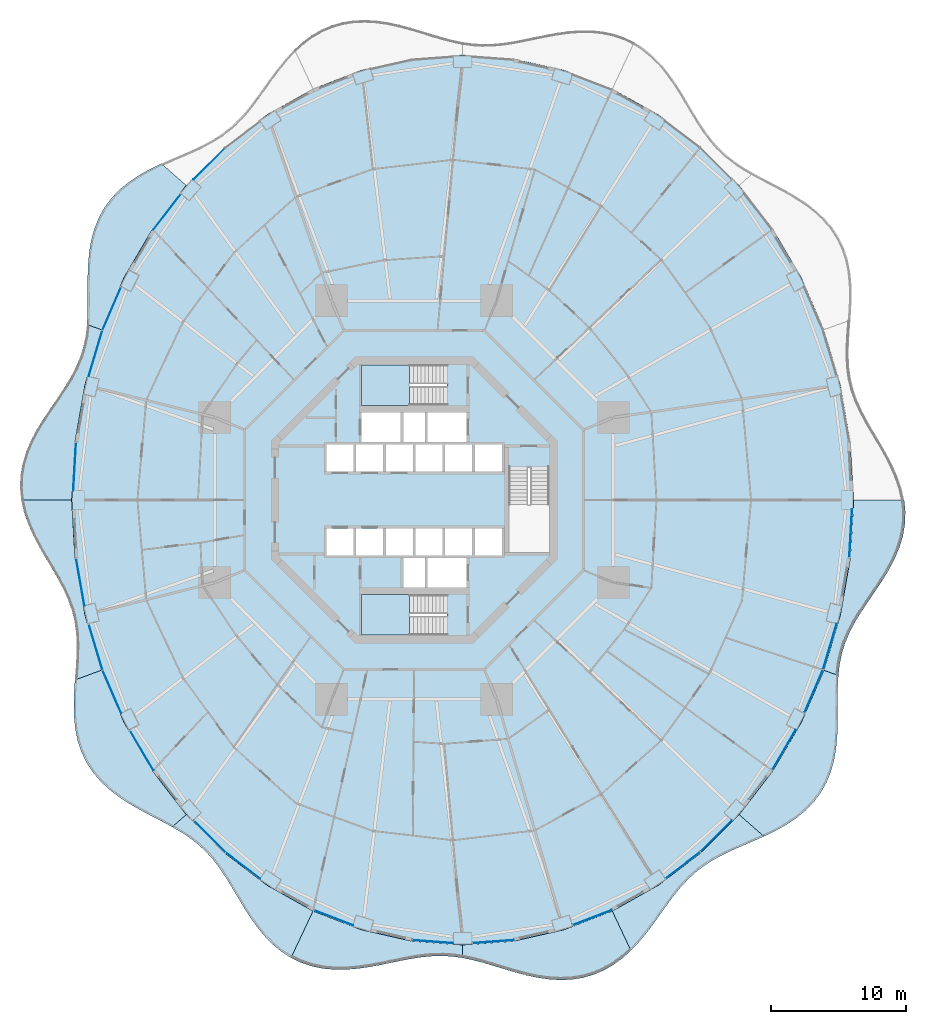
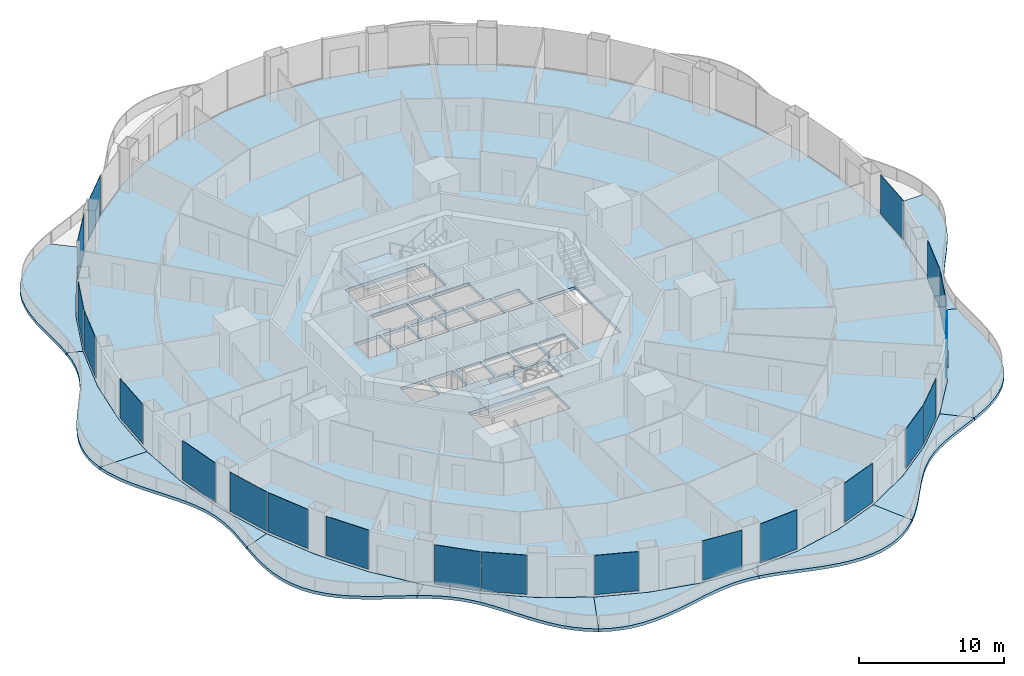
# One storey, part 12 of 23: 21 plates, 13 slabs, 23 elements without a shape of their own.
"""IFC4 building model written with IfcOpenShell, lengths in metres."""

from ifc_helpers import new_model, si_unit, direction, frame, origin, origin_2d, place, context, subcontext, project, spatial, polyline, rectangle, outline, extrude, material, layer, layer_set, type_object, element, aggregate, save


model = new_model("IFC4")

# Units and contexts
model_context = context("Model", 3, precision=1e-05, world=origin(), true_north=direction((0.0, 1.0)))
body_context = subcontext(model_context, "Body", "Model", "MODEL_VIEW")
ifc_project = project(units=[si_unit("LENGTHUNIT", "METRE"), si_unit("AREAUNIT", "SQUARE_METRE"), si_unit("VOLUMEUNIT", "CUBIC_METRE"), si_unit("PLANEANGLEUNIT", "RADIAN"), si_unit("MASSUNIT", "GRAM", prefix="KILO")], contexts=[model_context])

# Site, building, storey
site_placement = place(None, origin())
site = spatial("IfcSite", under=ifc_project, at=site_placement, CompositionType="ELEMENT")
building_placement = place(site_placement, origin())
building = spatial("IfcBuilding", under=site, at=building_placement, Name="Nagisa Residences", CompositionType="ELEMENT")
storey_placement = place(building_placement, frame((0.0, 0.0, 56.60009765625)))
storey = spatial("IfcBuildingStorey", under=building, at=storey_placement, Name="L13", CompositionType="ELEMENT", Elevation=56.60009765625)

# Slabs
ifc_material_1 = material(Name="Concrete C40/50", Category="concrete")
ifc_layer_1 = layer(ifc_material_1, 0.25)
ifc_layer_set_1 = layer_set([ifc_layer_1], Name="BALCONY SLAB 250")
slab_type_1 = type_object("IfcSlabType", Name="BALCONY SLAB 250", PredefinedType="FLOOR", material=ifc_layer_set_1)
slab_1_placement = place(storey_placement, frame((0.0, 0.0, -0.25)))
element("IfcSlab", 1, at=slab_1_placement, inside=storey, type_object=slab_type_1, Name="slab:L13:bal06", PredefinedType="FLOOR", context=body_context, shape_type="SweptSolid", body=[
    extrude(outline(polyline([(-18.7412109375, 24.947021484375), (-19.572021484375, 24.545654296875), (-20.375244140625, 24.09912109375), (-21.1318359375, 23.596435546875), (-21.82373046875, 23.03076171875), (-22.436279296875, 22.39794921875), (-22.958251953125, 21.69921875), (-23.38330078125, 20.9384765625), (-23.710693359375, 20.12353515625), (-23.945068359375, 19.2646484375), (-24.095703125, 18.37353515625), (-24.177734375, 17.46337890625), (-24.209228515625, 16.54638671875), (-24.2109375, 15.634765625), (-24.20556640625, 14.73779296875), (-24.21484375, 13.86376953125), (-24.259033203125, 13.016845703125), (-23.192626953125, 12.628662109375), (-21.5146484375, 16.5), (-19.4072265625, 20.089111328125), (-16.906005859375, 23.33447265625), (-18.7412109375, 24.947021484375)])), origin(), (0.0, 0.0, 1.0), 0.25),
])
slab_2_placement = place(storey_placement, frame((0.0, 0.0, -0.25)))
element("IfcSlab", 2, at=slab_2_placement, inside=storey, type_object=slab_type_1, Name="slab:L13:bal07", PredefinedType="FLOOR", context=body_context, shape_type="SweptSolid", body=[
    extrude(outline(polyline([(-24.259033203125, 13.016845703125), (-24.359130859375, 12.173583984375), (-24.528564453125, 11.3603515625), (-24.77490234375, 10.573486328125), (-25.099853515625, 9.806884765625), (-25.497802734375, 9.052734375), (-25.95703125, 8.302490234375), (-26.459716796875, 7.54833984375), (-26.98388671875, 6.78271484375), (-27.504638671875, 5.999755859375), (-27.995849609375, 5.195556640625), (-28.431640625, 4.369140625), (-28.789306640625, 3.52099609375), (-29.04931640625, 2.654541015625), (-29.1982421875, 1.774658203125), (-29.228759765625, 0.8876953125), (-29.140869140625, 0.0), (-25.39990234375, 0.0), (-25.15185546875, 4.307373046875), (-24.411865234375, 8.541015625), (-23.192626953125, 12.628662109375), (-24.259033203125, 13.016845703125)])), origin(), (0.0, 0.0, 1.0), 0.25),
])
slab_3_placement = place(storey_placement, frame((0.0, 0.0, -0.25)))
element("IfcSlab", 3, at=slab_3_placement, inside=storey, type_object=slab_type_1, Name="slab:L13:bal08", PredefinedType="FLOOR", context=body_context, shape_type="SweptSolid", body=[
    extrude(outline(polyline([(-29.140869140625, 0.0), (-28.940673828125, -0.88134765625), (-28.641357421875, -1.750732421875), (-28.26171875, -2.603759765625), (-27.82470703125, -3.43798828125), (-27.355712890625, -4.2529296875), (-26.88134765625, -5.051025390625), (-26.427001953125, -5.836181640625), (-26.01513671875, -6.614013671875), (-25.6640625, -7.39208984375), (-25.386474609375, -8.177490234375), (-25.188720703125, -8.977783203125), (-25.070068359375, -9.798828125), (-25.023193359375, -10.6455078125), (-25.03466796875, -11.519287109375), (-25.08544921875, -12.419677734375), (-25.153564453125, -13.342529296875), (-23.192626953125, -12.628662109375), (-24.411865234375, -8.541015625), (-25.15185546875, -4.307373046875), (-25.39990234375, 0.0), (-29.140869140625, 0.0)])), origin(), (0.0, 0.0, 1.0), 0.25),
])
slab_4_placement = place(storey_placement, frame((0.0, 0.0, -0.25)))
element("IfcSlab", 4, at=slab_4_placement, inside=storey, type_object=slab_type_1, Name="slab:L13:bal09", PredefinedType="FLOOR", context=body_context, shape_type="SweptSolid", body=[
    extrude(outline(polyline([(-25.153564453125, -13.342529296875), (-25.212646484375, -14.251953125), (-25.241943359375, -15.167724609375), (-25.219970703125, -16.07958984375), (-25.127685546875, -16.976318359375), (-24.94970703125, -17.845947265625), (-24.67578125, -18.677734375), (-24.301025390625, -19.461669921875), (-23.826171875, -20.19091796875), (-23.257080078125, -20.860595703125), (-22.60498046875, -21.469970703125), (-21.885498046875, -22.021728515625), (-21.116455078125, -22.522216796875), (-20.31787109375, -22.981201171875), (-19.509765625, -23.4111328125), (-18.7119140625, -23.82666015625), (-17.9404296875, -24.243408203125), (-16.906005859375, -23.33447265625), (-19.4072265625, -20.089111328125), (-21.5146484375, -16.5), (-23.192626953125, -12.628662109375), (-25.153564453125, -13.342529296875)])), origin(), (0.0, 0.0, 1.0), 0.25),
])
slab_5_placement = place(storey_placement, frame((0.0, 0.0, -0.25)))
element("IfcSlab", 5, at=slab_5_placement, inside=storey, type_object=slab_type_1, Name="slab:L13:bal10", PredefinedType="FLOOR", context=body_context, shape_type="SweptSolid", body=[
    extrude(outline(polyline([(-17.9404296875, -24.243408203125), (-17.241943359375, -24.65576171875), (-16.587646484375, -25.095703125), (-15.9814453125, -25.573486328125), (-15.42333984375, -26.0966796875), (-14.909423828125, -26.669921875), (-14.43212890625, -27.293212890625), (-13.9814453125, -27.963134765625), (-13.544677734375, -28.672119140625), (-13.10888671875, -29.408447265625), (-12.659912109375, -30.158203125), (-12.185302734375, -30.904052734375), (-11.674072265625, -31.6279296875), (-11.116943359375, -32.31103515625), (-10.508544921875, -32.93603515625), (-9.845947265625, -33.48681640625), (-9.1298828125, -33.95068359375), (-7.497802734375, -30.488037109375), (-10.89990234375, -28.578857421875), (-14.05419921875, -26.1806640625), (-16.906005859375, -23.33447265625), (-17.9404296875, -24.243408203125)])), origin(), (0.0, 0.0, 1.0), 0.25),
])
slab_6_placement = place(storey_placement, frame((0.0, 0.0, -0.25)))
element("IfcSlab", 6, at=slab_6_placement, inside=storey, type_object=slab_type_1, Name="slab:L13:bal11", PredefinedType="FLOOR", context=body_context, shape_type="SweptSolid", body=[
    extrude(outline(polyline([(-9.1298828125, -33.95068359375), (-8.392822265625, -34.307373046875), (-7.615478515625, -34.571044921875), (-6.804931640625, -34.7421875), (-5.970703125, -34.824951171875), (-5.12158203125, -34.828125), (-4.26708984375, -34.763671875), (-3.41552734375, -34.64697265625), (-2.573974609375, -34.4951171875), (-1.74755859375, -34.326171875), (-0.939697265625, -34.158935546875), (-0.1513671875, -34.010498046875), (0.618896484375, -33.895751953125), (1.3740234375, -33.8271484375), (2.118896484375, -33.81298828125), (2.858642578125, -33.857177734375), (3.60009765625, -33.959228515625), (3.60009765625, -33.0), (-0.185302734375, -32.7177734375), (-3.90576171875, -31.87548828125), (-7.497802734375, -30.488037109375), (-9.1298828125, -33.95068359375)])), origin(), (0.0, 0.0, 1.0), 0.25),
])
slab_7_placement = place(storey_placement, frame((0.0, 0.0, -0.25)))
element("IfcSlab", 7, at=slab_7_placement, inside=storey, type_object=slab_type_1, Name="slab:L13:bal12", PredefinedType="FLOOR", context=body_context, shape_type="SweptSolid", body=[
    extrude(outline(polyline([(3.60009765625, -33.959228515625), (4.348388671875, -34.1142578125), (5.109375, -34.313232421875), (5.886474609375, -34.542724609375), (6.681640625, -34.787109375), (7.4951171875, -35.028564453125), (8.32470703125, -35.248046875), (9.166259765625, -35.427490234375), (10.013671875, -35.548828125), (10.859619140625, -35.59765625), (11.695556640625, -35.56201171875), (12.512939453125, -35.433349609375), (13.303466796875, -35.208251953125), (14.0595703125, -34.886962890625), (14.77587890625, -34.474609375), (15.448974609375, -33.97998046875), (16.077392578125, -33.4150390625), (14.69775390625, -30.488037109375), (11.105712890625, -31.87548828125), (7.38525390625, -32.7177734375), (3.60009765625, -33.0), (3.60009765625, -33.959228515625)])), origin(), (0.0, 0.0, 1.0), 0.25),
])
slab_8_placement = place(storey_placement, frame((0.0, 0.0, -0.25)))
element("IfcSlab", 8, at=slab_8_placement, inside=storey, type_object=slab_type_1, Name="slab:L13:bal13", PredefinedType="FLOOR", context=body_context, shape_type="SweptSolid", body=[
    extrude(outline(polyline([(16.077392578125, -33.4150390625), (16.684326171875, -32.77099609375), (17.249755859375, -32.0859375), (17.78125, -31.37939453125), (18.2890625, -30.67041015625), (18.78466796875, -29.9765625), (19.280517578125, -29.312744140625), (19.788818359375, -28.690673828125), (20.321533203125, -28.118408203125), (20.88818359375, -27.598876953125), (21.495361328125, -27.1318359375), (22.14697265625, -26.7119140625), (22.843017578125, -26.331298828125), (23.579833984375, -25.97802734375), (24.349609375, -25.639404296875), (25.14111328125, -25.300537109375), (25.941162109375, -24.947021484375), (24.106201171875, -23.33447265625), (21.254150390625, -26.1806640625), (18.10009765625, -28.578857421875), (14.69775390625, -30.488037109375), (16.077392578125, -33.4150390625)])), origin(), (0.0, 0.0, 1.0), 0.25),
])
slab_9_placement = place(storey_placement, frame((0.0, 0.0, -0.25)))
element("IfcSlab", 9, at=slab_9_placement, inside=storey, type_object=slab_type_1, Name="slab:L13:bal14", PredefinedType="FLOOR", context=body_context, shape_type="SweptSolid", body=[
    extrude(outline(polyline([(25.941162109375, -24.947021484375), (26.77197265625, -24.545654296875), (27.5751953125, -24.09912109375), (28.331787109375, -23.596435546875), (29.023681640625, -23.03076171875), (29.63623046875, -22.39794921875), (30.158203125, -21.69921875), (30.583251953125, -20.9384765625), (30.910888671875, -20.12353515625), (31.14501953125, -19.2646484375), (31.295654296875, -18.37353515625), (31.377685546875, -17.46337890625), (31.4091796875, -16.54638671875), (31.4111328125, -15.634765625), (31.40576171875, -14.73779296875), (31.414794921875, -13.86376953125), (31.458984375, -13.016845703125), (30.392578125, -12.628662109375), (28.71484375, -16.5), (26.607177734375, -20.089111328125), (24.106201171875, -23.33447265625), (25.941162109375, -24.947021484375)])), origin(), (0.0, 0.0, 1.0), 0.25),
])
slab_10_placement = place(storey_placement, frame((0.0, 0.0, -0.25)))
element("IfcSlab", 10, at=slab_10_placement, inside=storey, type_object=slab_type_1, Name="slab:L13:bal15", PredefinedType="FLOOR", context=body_context, shape_type="SweptSolid", body=[
    extrude(outline(polyline([(31.458984375, -13.016845703125), (31.55908203125, -12.173583984375), (31.728515625, -11.3603515625), (31.974853515625, -10.573486328125), (32.2998046875, -9.806884765625), (32.69775390625, -9.052734375), (33.156982421875, -8.302490234375), (33.65966796875, -7.54833984375), (34.183837890625, -6.78271484375), (34.70458984375, -5.999755859375), (35.19580078125, -5.195556640625), (35.631591796875, -4.369140625), (35.9892578125, -3.52099609375), (36.249267578125, -2.654541015625), (36.398193359375, -1.774658203125), (36.428955078125, -0.8876953125), (36.3408203125, 0.0), (32.60009765625, 0.0), (32.351806640625, -4.307373046875), (31.61181640625, -8.541015625), (30.392578125, -12.628662109375), (31.458984375, -13.016845703125)])), origin(), (0.0, 0.0, 1.0), 0.25),
])

# Curtain wall, plate
ifc_material_2 = material(Name="Concrete-coloured aluminium curtain wall system", Category="concrete")
ifc_layer_2 = layer(ifc_material_2, 0.159912109375)
ifc_layer_set_2 = layer_set([ifc_layer_2], Name="CW1 CURTAIN WALL")
curtain_wall_type = type_object("IfcCurtainWallType", Name="CW1 CURTAIN WALL", PredefinedType="NOTDEFINED", material=ifc_layer_set_2)
curtain_wall_1_placement = place(storey_placement, origin())
curtain_wall_1 = element("IfcCurtainWall", 11, at=curtain_wall_1_placement, inside=storey, type_object=curtain_wall_type, Name="cw:CW1:L13:17", PredefinedType="NOTDEFINED")
ifc_material_3 = material(Name="Clear laminated glass", Category="glass")
ifc_layer_3 = layer(ifc_material_3, 0.028076171875)
ifc_layer_set_3 = layer_set([ifc_layer_3], Name="CW1 GLASS PANEL")
plate_type = type_object("IfcPlateType", Name="CW1 GLASS PANEL", PredefinedType="CURTAIN_PANEL", material=ifc_layer_set_3)
plate_1_placement = place(storey_placement, frame((-15.197021484375, 24.927001953125, 0.14990234375), z_axis=(0.0, 0.0, 1.0), x_axis=(-0.707835924016, -0.706376885714, 0.0)))
plate_1 = element("IfcPlate", 12, at=plate_1_placement, type_object=plate_type, Name="CW1 panel", PredefinedType="CURTAIN_PANEL", context=body_context, shape_type="SweptSolid", body=[
    extrude(rectangle(XDim=3.269287109375, YDim=0.028076171875, at=origin_2d()), origin(), (0.0, 0.0, 1.0), 3.2900390625),
])
aggregate(curtain_wall_1, [plate_1])

curtain_wall_2_placement = place(storey_placement, origin())
curtain_wall_2 = element("IfcCurtainWall", 13, at=curtain_wall_2_placement, inside=storey, type_object=curtain_wall_type, Name="cw:CW1:L13:18", PredefinedType="NOTDEFINED")
plate_2_placement = place(storey_placement, frame((-18.3251953125, 21.362060546875, 0.14990234375), z_axis=(0.0, 0.0, 1.0), x_axis=(-0.610429828235, -0.792070340816, 0.0)))
plate_2 = element("IfcPlate", 14, at=plate_2_placement, type_object=plate_type, Name="CW1 panel", PredefinedType="CURTAIN_PANEL", context=body_context, shape_type="SweptSolid", body=[
    extrude(rectangle(XDim=3.33740234375, YDim=0.028076171875, at=origin_2d()), origin(), (0.0, 0.0, 1.0), 3.2900390625),
])
aggregate(curtain_wall_2, [plate_2])

curtain_wall_3_placement = place(storey_placement, origin())
curtain_wall_3 = element("IfcCurtainWall", 15, at=curtain_wall_3_placement, inside=storey, type_object=curtain_wall_type, Name="cw:CW1:L13:20", PredefinedType="NOTDEFINED")
plate_3_placement = place(storey_placement, frame((-22.431396484375, 14.183837890625, 0.14990234375), z_axis=(0.0, 0.0, 1.0), x_axis=(-0.397635934147, -0.917543276295, 0.0)))
plate_3 = element("IfcPlate", 16, at=plate_3_placement, type_object=plate_type, Name="CW1 panel", PredefinedType="CURTAIN_PANEL", context=body_context, shape_type="SweptSolid", body=[
    extrude(rectangle(XDim=3.45947265625, YDim=0.028076171875, at=origin_2d()), origin(), (0.0, 0.0, 1.0), 3.2900390625),
])
aggregate(curtain_wall_3, [plate_3])

curtain_wall_4_placement = place(storey_placement, origin())
curtain_wall_4 = element("IfcCurtainWall", 17, at=curtain_wall_4_placement, inside=storey, type_object=curtain_wall_type, Name="cw:CW1:L13:21", PredefinedType="NOTDEFINED")
plate_4_placement = place(storey_placement, frame((-23.634033203125, 10.86865234375, 0.14990234375), z_axis=(0.0, 0.0, 1.0), x_axis=(-0.285860274038, -0.958271310082, 0.0)))
plate_4 = element("IfcPlate", 18, at=plate_4_placement, type_object=plate_type, Name="CW1 panel", PredefinedType="CURTAIN_PANEL", context=body_context, shape_type="SweptSolid", body=[
    extrude(rectangle(XDim=3.505615234375, YDim=0.028076171875, at=origin_2d()), origin(), (0.0, 0.0, 1.0), 3.2900390625),
])
aggregate(curtain_wall_4, [plate_4])

curtain_wall_5_placement = place(storey_placement, origin())
curtain_wall_5 = element("IfcCurtainWall", 19, at=curtain_wall_5_placement, inside=storey, type_object=curtain_wall_type, Name="cw:CW1:L13:23", PredefinedType="NOTDEFINED")
plate_5_placement = place(storey_placement, frame((-25.177734375, 2.468505859375, 0.14990234375), z_axis=(0.0, 0.0, 1.0), x_axis=(-0.057503492216, -0.998345305184, 0.0)))
plate_5 = element("IfcPlate", 20, at=plate_5_placement, type_object=plate_type, Name="CW1 panel", PredefinedType="CURTAIN_PANEL", context=body_context, shape_type="SweptSolid", body=[
    extrude(rectangle(XDim=3.554443359375, YDim=0.028076171875, at=origin_2d()), origin(), (0.0, 0.0, 1.0), 3.2900390625),
])
aggregate(curtain_wall_5, [plate_5])

curtain_wall_6_placement = place(storey_placement, origin())
curtain_wall_6 = element("IfcCurtainWall", 21, at=curtain_wall_6_placement, inside=storey, type_object=curtain_wall_type, Name="cw:CW1:L13:25", PredefinedType="NOTDEFINED")
plate_6_placement = place(storey_placement, frame((-24.758056640625, -6.09521484375, 0.14990234375), z_axis=(0.0, 0.0, 1.0), x_axis=(0.172190868898, -0.985063604377, 0.0)))
plate_6 = element("IfcPlate", 22, at=plate_6_placement, type_object=plate_type, Name="CW1 panel", PredefinedType="CURTAIN_PANEL", context=body_context, shape_type="SweptSolid", body=[
    extrude(rectangle(XDim=3.537841796875, YDim=0.028076171875, at=origin_2d()), origin(), (0.0, 0.0, 1.0), 3.2900390625),
])
aggregate(curtain_wall_6, [plate_6])

curtain_wall_7_placement = place(storey_placement, origin())
curtain_wall_7 = element("IfcCurtainWall", 23, at=curtain_wall_7_placement, inside=storey, type_object=curtain_wall_type, Name="cw:CW1:L13:26", PredefinedType="NOTDEFINED")
plate_7_placement = place(storey_placement, frame((-23.616943359375, -10.926025390625, 0.14990234375), z_axis=(0.0, 0.0, 1.0), x_axis=(0.285860274038, -0.958271310082, 0.0)))
plate_7 = element("IfcPlate", 24, at=plate_7_placement, type_object=plate_type, Name="CW1 panel", PredefinedType="CURTAIN_PANEL", context=body_context, shape_type="SweptSolid", body=[
    extrude(rectangle(XDim=3.505615234375, YDim=0.028076171875, at=origin_2d()), origin(), (0.0, 0.0, 1.0), 3.2900390625),
])
aggregate(curtain_wall_7, [plate_7])

curtain_wall_8_placement = place(storey_placement, origin())
curtain_wall_8 = element("IfcCurtainWall", 25, at=curtain_wall_8_placement, inside=storey, type_object=curtain_wall_type, Name="cw:CW1:L13:27", PredefinedType="NOTDEFINED")
plate_8_placement = place(storey_placement, frame((-22.407470703125, -14.23876953125, 0.14990234375), z_axis=(0.0, 0.0, 1.0), x_axis=(0.397635934147, -0.917543276295, 0.0)))
plate_8 = element("IfcPlate", 26, at=plate_8_placement, type_object=plate_type, Name="CW1 panel", PredefinedType="CURTAIN_PANEL", context=body_context, shape_type="SweptSolid", body=[
    extrude(rectangle(XDim=3.45947265625, YDim=0.028076171875, at=origin_2d()), origin(), (0.0, 0.0, 1.0), 3.2900390625),
])
aggregate(curtain_wall_8, [plate_8])

curtain_wall_9_placement = place(storey_placement, origin())
curtain_wall_9 = element("IfcCurtainWall", 27, at=curtain_wall_9_placement, inside=storey, type_object=curtain_wall_type, Name="cw:CW1:L13:28", PredefinedType="NOTDEFINED")
plate_9_placement = place(storey_placement, frame((-20.19970703125, -18.581787109375, 0.14990234375), z_axis=(0.0, 0.0, 1.0), x_axis=(0.506348567002, -0.862328898214, 0.0)))
plate_9 = element("IfcPlate", 28, at=plate_9_placement, type_object=plate_type, Name="CW1 panel", PredefinedType="CURTAIN_PANEL", context=body_context, shape_type="SweptSolid", body=[
    extrude(rectangle(XDim=3.402099609375, YDim=0.028076171875, at=origin_2d()), origin(), (0.0, 0.0, 1.0), 3.2900390625),
])
aggregate(curtain_wall_9, [plate_9])

curtain_wall_10_placement = place(storey_placement, origin())
curtain_wall_10 = element("IfcCurtainWall", 29, at=curtain_wall_10_placement, inside=storey, type_object=curtain_wall_type, Name="cw:CW1:L13:30", PredefinedType="NOTDEFINED")
plate_10_placement = place(storey_placement, frame((-15.154541015625, -24.969482421875, 0.14990234375), z_axis=(0.0, 0.0, 1.0), x_axis=(0.707835924016, -0.706376885714, 0.0)))
plate_10 = element("IfcPlate", 30, at=plate_10_placement, type_object=plate_type, Name="CW1 panel", PredefinedType="CURTAIN_PANEL", context=body_context, shape_type="SweptSolid", body=[
    extrude(rectangle(XDim=3.269287109375, YDim=0.028076171875, at=origin_2d()), origin(), (0.0, 0.0, 1.0), 3.2900390625),
])
aggregate(curtain_wall_10, [plate_10])

curtain_wall_11_placement = place(storey_placement, origin())
curtain_wall_11 = element("IfcCurtainWall", 31, at=curtain_wall_11_placement, inside=storey, type_object=curtain_wall_type, Name="cw:CW1:L13:31", PredefinedType="NOTDEFINED")
plate_11_placement = place(storey_placement, frame((-12.683349609375, -27.122314453125, 0.14990234375), z_axis=(0.0, 0.0, 1.0), x_axis=(0.79603132756, -0.605255421737, 0.0)))
plate_11 = element("IfcPlate", 32, at=plate_11_placement, type_object=plate_type, Name="CW1 panel", PredefinedType="CURTAIN_PANEL", context=body_context, shape_type="SweptSolid", body=[
    extrude(rectangle(XDim=3.2021484375, YDim=0.028076171875, at=origin_2d()), origin(), (0.0, 0.0, 1.0), 3.2900390625),
])
aggregate(curtain_wall_11, [plate_11])

curtain_wall_12_placement = place(storey_placement, origin())
curtain_wall_12 = element("IfcCurtainWall", 33, at=curtain_wall_12_placement, inside=storey, type_object=curtain_wall_type, Name="cw:CW1:L13:33", PredefinedType="NOTDEFINED")
plate_12_placement = place(storey_placement, frame((-5.971435546875, -30.991943359375, 0.14990234375), z_axis=(0.0, 0.0, 1.0), x_axis=(0.932825759707, -0.360327770268, 0.0)))
plate_12 = element("IfcPlate", 34, at=plate_12_placement, type_object=plate_type, Name="CW1 panel", PredefinedType="CURTAIN_PANEL", context=body_context, shape_type="SweptSolid", body=[
    extrude(rectangle(XDim=3.0908203125, YDim=0.028076171875, at=origin_2d()), origin(), (0.0, 0.0, 1.0), 3.2900390625),
])
aggregate(curtain_wall_12, [plate_12])

curtain_wall_13_placement = place(storey_placement, origin())
curtain_wall_13 = element("IfcCurtainWall", 35, at=curtain_wall_13_placement, inside=storey, type_object=curtain_wall_type, Name="cw:CW1:L13:35", PredefinedType="NOTDEFINED")
plate_13_placement = place(storey_placement, frame((1.394287109375, -32.75537109375, 0.14990234375), z_axis=(0.0, 0.0, 1.0), x_axis=(0.997230168512, -0.074377355493, 0.0)))
plate_13 = element("IfcPlate", 36, at=plate_13_placement, type_object=plate_type, Name="CW1 panel", PredefinedType="CURTAIN_PANEL", context=body_context, shape_type="SweptSolid", body=[
    extrude(rectangle(XDim=3.035888671875, YDim=0.028076171875, at=origin_2d()), origin(), (0.0, 0.0, 1.0), 3.2900390625),
])
aggregate(curtain_wall_13, [plate_13])

curtain_wall_14_placement = place(storey_placement, origin())
curtain_wall_14 = element("IfcCurtainWall", 37, at=curtain_wall_14_placement, inside=storey, type_object=curtain_wall_type, Name="cw:CW1:L13:36", PredefinedType="NOTDEFINED")
plate_14_placement = place(storey_placement, frame((5.86572265625, -32.750732421875, 0.14990234375), z_axis=(0.0, 0.0, 1.0), x_axis=(0.997230168512, 0.074377355493, 0.0)))
plate_14 = element("IfcPlate", 38, at=plate_14_placement, type_object=plate_type, Name="CW1 panel", PredefinedType="CURTAIN_PANEL", context=body_context, shape_type="SweptSolid", body=[
    extrude(rectangle(XDim=3.035888671875, YDim=0.028076171875, at=origin_2d()), origin(), (0.0, 0.0, 1.0), 3.2900390625),
])
aggregate(curtain_wall_14, [plate_14])

curtain_wall_15_placement = place(storey_placement, origin())
curtain_wall_15 = element("IfcCurtainWall", 39, at=curtain_wall_15_placement, inside=storey, type_object=curtain_wall_type, Name="cw:CW1:L13:38", PredefinedType="NOTDEFINED")
plate_15_placement = place(storey_placement, frame((13.2275390625, -30.97021484375, 0.14990234375), z_axis=(0.0, 0.0, 1.0), x_axis=(0.932825759707, 0.360327770268, 0.0)))
plate_15 = element("IfcPlate", 40, at=plate_15_placement, type_object=plate_type, Name="CW1 panel", PredefinedType="CURTAIN_PANEL", context=body_context, shape_type="SweptSolid", body=[
    extrude(rectangle(XDim=3.0908203125, YDim=0.028076171875, at=origin_2d()), origin(), (0.0, 0.0, 1.0), 3.2900390625),
])
aggregate(curtain_wall_15, [plate_15])

curtain_wall_16_placement = place(storey_placement, origin())
curtain_wall_16 = element("IfcCurtainWall", 41, at=curtain_wall_16_placement, inside=storey, type_object=curtain_wall_type, Name="cw:CW1:L13:40", PredefinedType="NOTDEFINED")
plate_16_placement = place(storey_placement, frame((19.93115234375, -27.086181640625, 0.14990234375), z_axis=(0.0, 0.0, 1.0), x_axis=(0.79603132756, 0.605255421737, 0.0)))
plate_16 = element("IfcPlate", 42, at=plate_16_placement, type_object=plate_type, Name="CW1 panel", PredefinedType="CURTAIN_PANEL", context=body_context, shape_type="SweptSolid", body=[
    extrude(rectangle(XDim=3.2021484375, YDim=0.028076171875, at=origin_2d()), origin(), (0.0, 0.0, 1.0), 3.2900390625),
])
aggregate(curtain_wall_16, [plate_16])

curtain_wall_17_placement = place(storey_placement, origin())
curtain_wall_17 = element("IfcCurtainWall", 43, at=curtain_wall_17_placement, inside=storey, type_object=curtain_wall_type, Name="cw:CW1:L13:41", PredefinedType="NOTDEFINED")
plate_17_placement = place(storey_placement, frame((22.39697265625, -24.927001953125, 0.14990234375), z_axis=(0.0, 0.0, 1.0), x_axis=(0.707835924016, 0.706376885714, 0.0)))
plate_17 = element("IfcPlate", 44, at=plate_17_placement, type_object=plate_type, Name="CW1 panel", PredefinedType="CURTAIN_PANEL", context=body_context, shape_type="SweptSolid", body=[
    extrude(rectangle(XDim=3.269287109375, YDim=0.028076171875, at=origin_2d()), origin(), (0.0, 0.0, 1.0), 3.2900390625),
])
aggregate(curtain_wall_17, [plate_17])

curtain_wall_18_placement = place(storey_placement, origin())
curtain_wall_18 = element("IfcCurtainWall", 45, at=curtain_wall_18_placement, inside=storey, type_object=curtain_wall_type, Name="cw:CW1:L13:43", PredefinedType="NOTDEFINED")
plate_18_placement = place(storey_placement, frame((27.429931640625, -18.530029296875, 0.14990234375), z_axis=(0.0, 0.0, 1.0), x_axis=(0.506348567002, 0.862328898214, 0.0)))
plate_18 = element("IfcPlate", 46, at=plate_18_placement, type_object=plate_type, Name="CW1 panel", PredefinedType="CURTAIN_PANEL", context=body_context, shape_type="SweptSolid", body=[
    extrude(rectangle(XDim=3.402099609375, YDim=0.028076171875, at=origin_2d()), origin(), (0.0, 0.0, 1.0), 3.2900390625),
])
aggregate(curtain_wall_18, [plate_18])

curtain_wall_19_placement = place(storey_placement, origin())
curtain_wall_19 = element("IfcCurtainWall", 47, at=curtain_wall_19_placement, inside=storey, type_object=curtain_wall_type, Name="cw:CW1:L13:44", PredefinedType="NOTDEFINED")
plate_19_placement = place(storey_placement, frame((29.63134765625, -14.183837890625, 0.14990234375), z_axis=(0.0, 0.0, 1.0), x_axis=(0.397635934147, 0.917543276295, 0.0)))
plate_19 = element("IfcPlate", 48, at=plate_19_placement, type_object=plate_type, Name="CW1 panel", PredefinedType="CURTAIN_PANEL", context=body_context, shape_type="SweptSolid", body=[
    extrude(rectangle(XDim=3.45947265625, YDim=0.028076171875, at=origin_2d()), origin(), (0.0, 0.0, 1.0), 3.2900390625),
])
aggregate(curtain_wall_19, [plate_19])

curtain_wall_20_placement = place(storey_placement, origin())
curtain_wall_20 = element("IfcCurtainWall", 49, at=curtain_wall_20_placement, inside=storey, type_object=curtain_wall_type, Name="cw:CW1:L13:45", PredefinedType="NOTDEFINED")
plate_20_placement = place(storey_placement, frame((30.833984375, -10.86865234375, 0.14990234375), z_axis=(0.0, 0.0, 1.0), x_axis=(0.285860274038, 0.958271310082, 0.0)))
plate_20 = element("IfcPlate", 50, at=plate_20_placement, type_object=plate_type, Name="CW1 panel", PredefinedType="CURTAIN_PANEL", context=body_context, shape_type="SweptSolid", body=[
    extrude(rectangle(XDim=3.505615234375, YDim=0.028076171875, at=origin_2d()), origin(), (0.0, 0.0, 1.0), 3.2900390625),
])
aggregate(curtain_wall_20, [plate_20])

curtain_wall_21_placement = place(storey_placement, origin())
curtain_wall_21 = element("IfcCurtainWall", 51, at=curtain_wall_21_placement, inside=storey, type_object=curtain_wall_type, Name="cw:CW1:L13:47", PredefinedType="NOTDEFINED")
plate_21_placement = place(storey_placement, frame((32.377685546875, -2.468505859375, 0.14990234375), z_axis=(0.0, 0.0, 1.0), x_axis=(0.057503492216, 0.998345305184, 0.0)))
plate_21 = element("IfcPlate", 52, at=plate_21_placement, type_object=plate_type, Name="CW1 panel", PredefinedType="CURTAIN_PANEL", context=body_context, shape_type="SweptSolid", body=[
    extrude(rectangle(XDim=3.554443359375, YDim=0.028076171875, at=origin_2d()), origin(), (0.0, 0.0, 1.0), 3.2900390625),
])
aggregate(curtain_wall_21, [plate_21])

# Slab
ifc_material_4 = material(Name="Concrete C40", Category="concrete")
ifc_layer_4 = layer(ifc_material_4, 0.260009765625)
ifc_layer_set_4 = layer_set([ifc_layer_4], Name="Floor slab 260")
slab_type_2 = type_object("IfcSlabType", Name="Floor slab 260", PredefinedType="FLOOR", material=ifc_layer_set_4)
slab_11_placement = place(storey_placement, frame((0.0, 0.0, -0.260009765625)))
element("IfcSlab", 53, at=slab_11_placement, inside=storey, type_object=slab_type_2, Name="slab:L13:floor", PredefinedType="FLOOR", context=body_context, shape_type="SweptSolid", body=[
    extrude(outline(polyline([(32.60009765625, 0.0), (32.351806640625, 4.307373046875), (31.61181640625, 8.541015625), (30.392578125, 12.628662109375), (28.71484375, 16.5), (26.607177734375, 20.089111328125), (24.106201171875, 23.33447265625), (21.254150390625, 26.1806640625), (18.10009765625, 28.578857421875), (14.69775390625, 30.488037109375), (11.105712890625, 31.87548828125), (7.38525390625, 32.7177734375), (3.60009765625, 33.0), (-0.185302734375, 32.7177734375), (-3.90576171875, 31.87548828125), (-7.497802734375, 30.488037109375), (-10.89990234375, 28.578857421875), (-14.05419921875, 26.1806640625), (-16.906005859375, 23.33447265625), (-19.4072265625, 20.089111328125), (-21.5146484375, 16.5), (-23.192626953125, 12.628662109375), (-24.411865234375, 8.541015625), (-25.15185546875, 4.307373046875), (-25.39990234375, 0.0), (-25.15185546875, -4.307373046875), (-24.411865234375, -8.541015625), (-23.192626953125, -12.628662109375), (-21.5146484375, -16.5), (-19.4072265625, -20.089111328125), (-16.906005859375, -23.33447265625), (-14.05419921875, -26.1806640625), (-10.89990234375, -28.578857421875), (-7.497802734375, -30.488037109375), (-3.90576171875, -31.87548828125), (-0.185302734375, -32.7177734375), (3.60009765625, -33.0), (7.38525390625, -32.7177734375), (11.105712890625, -31.87548828125), (14.69775390625, -30.488037109375), (18.10009765625, -28.578857421875), (21.254150390625, -26.1806640625), (24.106201171875, -23.33447265625), (26.607177734375, -20.089111328125), (28.71484375, -16.5), (30.392578125, -12.628662109375), (31.61181640625, -8.541015625), (32.351806640625, -4.307373046875), (32.60009765625, 0.0)]), holes=[polyline([(-4.5, 2.10009765625), (-4.5, 4.10009765625), (-6.5, 4.10009765625), (-6.5, 2.10009765625), (-4.5, 2.10009765625)]), polyline([(-2.300048828125, 2.10009765625), (-2.300048828125, 4.10009765625), (-4.300048828125, 4.10009765625), (-4.300048828125, 2.10009765625), (-2.300048828125, 2.10009765625)]), polyline([(-0.10009765625, 2.10009765625), (-0.10009765625, 4.10009765625), (-2.10009765625, 4.10009765625), (-2.10009765625, 2.10009765625), (-0.10009765625, 2.10009765625)]), polyline([(2.10009765625, 2.10009765625), (2.10009765625, 4.10009765625), (0.10009765625, 4.10009765625), (0.10009765625, 2.10009765625), (2.10009765625, 2.10009765625)]), polyline([(4.300048828125, 2.10009765625), (4.300048828125, 4.10009765625), (2.300048828125, 4.10009765625), (2.300048828125, 2.10009765625), (4.300048828125, 2.10009765625)]), polyline([(6.5, 2.10009765625), (6.5, 4.10009765625), (4.5, 4.10009765625), (4.5, 2.10009765625), (6.5, 2.10009765625)]), polyline([(-4.5, -4.10009765625), (-4.5, -2.10009765625), (-6.5, -2.10009765625), (-6.5, -4.10009765625), (-4.5, -4.10009765625)]), polyline([(-2.300048828125, -4.10009765625), (-2.300048828125, -2.10009765625), (-4.300048828125, -2.10009765625), (-4.300048828125, -4.10009765625), (-2.300048828125, -4.10009765625)]), polyline([(-0.10009765625, -4.10009765625), (-0.10009765625, -2.10009765625), (-2.10009765625, -2.10009765625), (-2.10009765625, -4.10009765625), (-0.10009765625, -4.10009765625)]), polyline([(2.10009765625, -4.10009765625), (2.10009765625, -2.10009765625), (0.10009765625, -2.10009765625), (0.10009765625, -4.10009765625), (2.10009765625, -4.10009765625)]), polyline([(4.300048828125, -4.10009765625), (4.300048828125, -2.10009765625), (2.300048828125, -2.10009765625), (2.300048828125, -4.10009765625), (4.300048828125, -4.10009765625)]), polyline([(6.5, -4.10009765625), (6.5, -2.10009765625), (4.5, -2.10009765625), (4.5, -4.10009765625), (6.5, -4.10009765625)]), polyline([(3.89990234375, 4.300048828125), (3.89990234375, 6.5), (1.0, 6.5), (1.0, 4.300048828125), (3.89990234375, 4.300048828125)]), polyline([(3.89990234375, -6.5), (3.89990234375, -4.300048828125), (1.0, -4.300048828125), (1.0, -6.5), (3.89990234375, -6.5)]), polyline([(-1.0, 4.300048828125), (-1.0, 6.5), (-3.89990234375, 6.5), (-3.89990234375, 4.300048828125), (-1.0, 4.300048828125)]), polyline([(0.800048828125, 4.300048828125), (0.800048828125, 6.5), (-0.800048828125, 6.5), (-0.800048828125, 4.300048828125), (0.800048828125, 4.300048828125)]), polyline([(0.800048828125, -6.5), (0.800048828125, -4.300048828125), (-0.800048828125, -4.300048828125), (-0.800048828125, -6.5), (0.800048828125, -6.5)]), polyline([(10.024658203125, -3.89990234375), (7.024658203125, -3.89990234375), (7.024658203125, 2.425048828125), (10.024658203125, 2.425048828125), (10.024658203125, -3.89990234375)]), polyline([(-3.89990234375, 7.024658203125), (-3.89990234375, 10.024658203125), (2.425048828125, 10.024658203125), (2.425048828125, 7.024658203125), (-3.89990234375, 7.024658203125)]), polyline([(-3.89990234375, -10.024658203125), (-3.89990234375, -7.024658203125), (2.425048828125, -7.024658203125), (2.425048828125, -10.024658203125), (-3.89990234375, -10.024658203125)])]), origin(), (0.0, 0.0, 1.0), 0.260009765625),
])

# Stair, slab
ifc_material_5 = material(Name="Concrete C60", Category="concrete")
stair_type = type_object("IfcStairType", Name="Exit stair", PredefinedType="HALF_TURN_STAIR", material=ifc_material_5)
stair_1_placement = place(storey_placement, origin())
stair_1 = element("IfcStair", 54, at=stair_1_placement, inside=storey, type_object=stair_type, Name="L13 Exit stair N", PredefinedType="HALF_TURN_STAIR")
ifc_material_6 = material(Name="Concrete C60", Category="concrete")
ifc_layer_5 = layer(ifc_material_6, 0.199951171875)
ifc_layer_set_5 = layer_set([ifc_layer_5], Name="Stair landing")
slab_type_3 = type_object("IfcSlabType", Name="Stair landing", PredefinedType="LANDING", material=ifc_layer_set_5)
slab_12_placement = place(storey_placement, frame((0.0, 0.0, 1.64990234375)))
slab_12 = element("IfcSlab", 55, at=slab_12_placement, type_object=slab_type_3, Name="ST-N landing 1", PredefinedType="LANDING", context=body_context, shape_type="SweptSolid", body=[
    extrude(outline(polyline([(-0.324951171875, 10.024658203125), (-3.89990234375, 10.024658203125), (-3.89990234375, 7.024658203125), (-0.324951171875, 7.024658203125), (-0.324951171875, 10.024658203125)])), origin(), (0.0, 0.0, 1.0), 0.199951171875),
])
aggregate(stair_1, [slab_12])

stair_2_placement = place(storey_placement, origin())
stair_2 = element("IfcStair", 56, at=stair_2_placement, inside=storey, type_object=stair_type, Name="L13 Exit stair S", PredefinedType="HALF_TURN_STAIR")
slab_13_placement = place(storey_placement, frame((0.0, 0.0, 1.64990234375)))
slab_13 = element("IfcSlab", 57, at=slab_13_placement, type_object=slab_type_3, Name="ST-S landing 1", PredefinedType="LANDING", context=body_context, shape_type="SweptSolid", body=[
    extrude(outline(polyline([(-0.324951171875, -7.024658203125), (-3.89990234375, -7.024658203125), (-3.89990234375, -10.024658203125), (-0.324951171875, -10.024658203125), (-0.324951171875, -7.024658203125)])), origin(), (0.0, 0.0, 1.0), 0.199951171875),
])
aggregate(stair_2, [slab_13])

save(model, "model.ifc")
